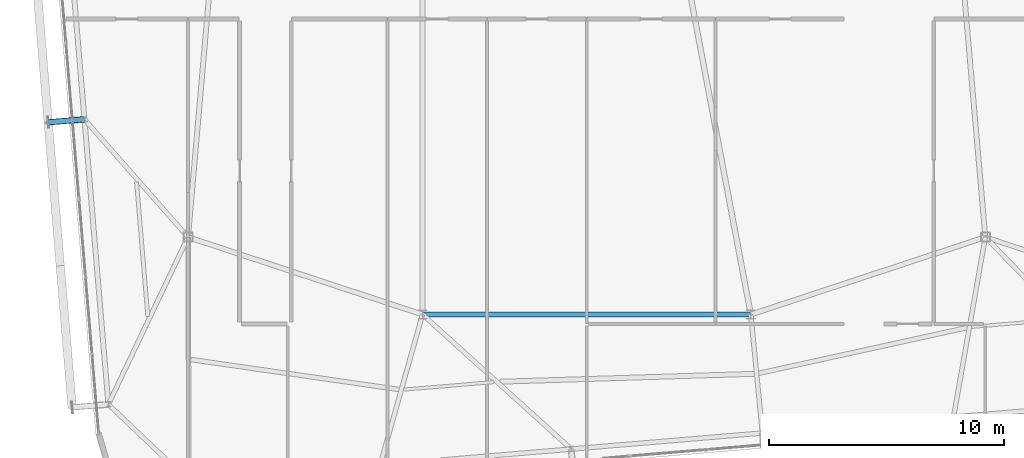
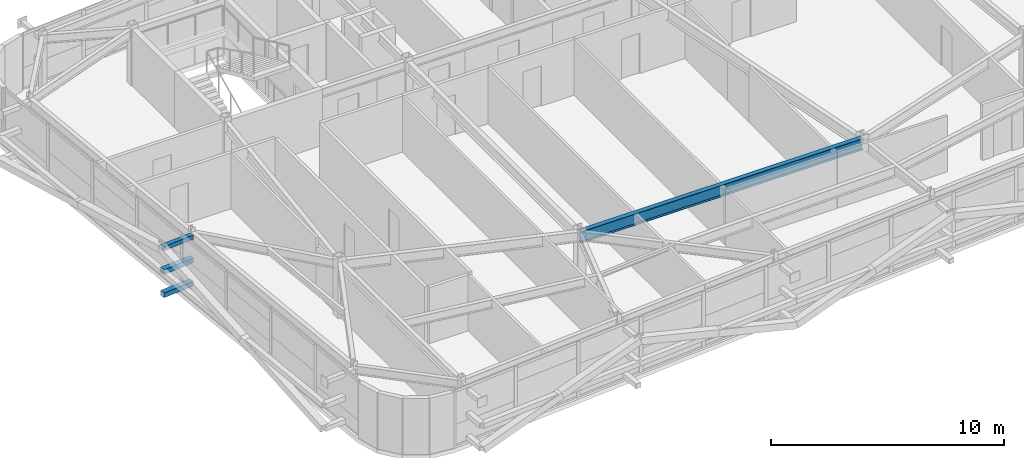
# One storey, part 13 of 44: 3 members, 1 beam.
"""IFC4 building model written with IfcOpenShell, lengths in metres."""

from ifc_helpers import new_model, si_unit, direction, frame, origin, origin_2d, place, context, subcontext, project, spatial, hollow_rectangle, i_section, extrude, source, transform, mapped, material, material_profile, profile_set, type_object, element, save


model = new_model("IFC4")

# Units and contexts
model_context = context("Model", 3, precision=1e-05, world=origin(), true_north=direction((0.0, 1.0)))
body_context = subcontext(model_context, "Body", "Model", "MODEL_VIEW")
ifc_project = project(units=[si_unit("LENGTHUNIT", "METRE"), si_unit("AREAUNIT", "SQUARE_METRE"), si_unit("VOLUMEUNIT", "CUBIC_METRE"), si_unit("PLANEANGLEUNIT", "RADIAN"), si_unit("MASSUNIT", "GRAM", prefix="KILO")], contexts=[model_context])

# Site, building, storey
site_placement = place(None, origin())
site = spatial("IfcSite", under=ifc_project, at=site_placement, CompositionType="ELEMENT")
building_placement = place(site_placement, origin())
building = spatial("IfcBuilding", under=site, at=building_placement, Name="Taldren Reach Tower", CompositionType="ELEMENT")
storey_placement = place(building_placement, frame((0.0, 0.0, 191.449951171875)))
storey = spatial("IfcBuildingStorey", under=building, at=storey_placement, Name="L58", CompositionType="ELEMENT", Elevation=191.449951171875)

# Beam
ifc_material_1 = material(Name="Steel Gr 350 (350PLUS)", Category="steel")
ifc_material_profile_1 = material_profile(ifc_material_1, i_section(OverallWidth=0.22802734375, OverallDepth=0.60205078125, WebThickness=0.010498046875, FlangeThickness=0.014892578125, at=origin_2d()), Name="610UB101")
ifc_profile_set_1 = profile_set([ifc_material_profile_1], Name="Steel Gr 350 (350PLUS)")
beam_type = type_object("IfcBeamType", Name="BM-UB610B", PredefinedType="BEAM", material=ifc_profile_set_1)
shared_shape_1 = source(origin(), body_context, "Body", "SweptSolid", [
    extrude(i_section(OverallWidth=0.22802734375, OverallDepth=0.60205078125, WebThickness=0.010498046875, FlangeThickness=0.014892578125, at=origin_2d()), origin(), (0.0, 0.0, 1.0), 14.0),
])
beam_placement = place(storey_placement, frame((28.0, 9.199951171875, 2.629150390625), z_axis=(1.0, 0.0, 0.0), x_axis=(0.0, 1.0, 0.0)))
element("IfcBeam", 1, at=beam_placement, inside=storey, type_object=beam_type, Name="Core-spine girder L58-SP11", PredefinedType="BEAM", context=body_context, shape_type="MappedRepresentation", body=[
    mapped(shared_shape_1, transform((0.0, 0.0, 0.0), scale=1.0)),
])

# Members
ifc_material_2 = material(Name="Steel Gr 450 (C450L0)", Category="steel")
ifc_material_profile_2 = material_profile(ifc_material_2, hollow_rectangle(XDim=0.219970703125, YDim=0.219970703125, WallThickness=0.00830078125, at=origin_2d()), Name="220x220x8.2SHS")
ifc_profile_set_2 = profile_set([ifc_material_profile_2], Name="Steel Gr 450 (C450L0)")
member_type_1 = type_object("IfcMemberType", Name="MB-TIE219", PredefinedType="STRUT", material=ifc_profile_set_2)
shared_shape_2 = source(origin(), body_context, "Body", "SweptSolid", [
    extrude(hollow_rectangle(XDim=0.219970703125, YDim=0.219970703125, WallThickness=0.00830078125, at=origin_2d()), origin(), (0.0, 0.0, 1.0), 1.54541015625),
])
member_placement = place(storey_placement, frame((13.578125, 17.52490234375, 2.650146484375), z_axis=(-0.99648887425, -0.083725285883, 0.0), x_axis=(0.083725285883, -0.99648887425, 0.0)))
element("IfcMember", 2, at=member_placement, inside=storey, type_object=member_type_1, Name="Exoskeleton diaphragm tie strut B4-W2 L58", PredefinedType="STRUT", context=body_context, shape_type="MappedRepresentation", body=[
    mapped(shared_shape_2, transform((0.0, 0.0, 0.0), scale=1.0)),
])
ifc_material_3 = material(Name="Steel Gr 350 (C350L0)", Category="steel")
ifc_material_profile_3 = material_profile(ifc_material_3, hollow_rectangle(XDim=0.25, YDim=0.25, WallThickness=0.010009765625, at=origin_2d()), Name="250x250x10.0SHS")
ifc_profile_set_3 = profile_set([ifc_material_profile_3], Name="Steel Gr 350 (C350L0)")
member_type_2 = type_object("IfcMemberType", Name="MB-POST250", PredefinedType="POST", material=ifc_profile_set_3)
shared_shape_3 = source(origin(), body_context, "Body", "SweptSolid", [
    extrude(hollow_rectangle(XDim=0.25, YDim=0.25, WallThickness=0.010009765625, at=origin_2d()), origin(), (0.0, 0.0, 1.0), 1.54541015625),
])
for number, where, z_axis, x_axis, name in (
    (3, (13.578125, 17.52490234375, 0.219970703125), (-0.99648887425, -0.083725285883, 0.0), (0.083725285883, -0.99648887425, 0.0), "Exoskeleton base diaphragm tie strut B4-W2 L58"),
    (4, (13.578125, 17.52490234375, 1.43505859375), (-0.99648887425, -0.083725285883, 0.0), (0.083725285883, -0.99648887425, 0.0), "Exoskeleton mid-tier diaphragm tie B4-W2 L58"),
):
    element("IfcMember", number, at=place(storey_placement, frame(where, z_axis=z_axis, x_axis=x_axis)), inside=storey, type_object=member_type_2, Name=name, PredefinedType="POST", context=body_context, shape_type="MappedRepresentation", body=[
        mapped(shared_shape_3, transform((0.0, 0.0, 0.0), scale=1.0)),
    ])

save(model, "model.ifc")
